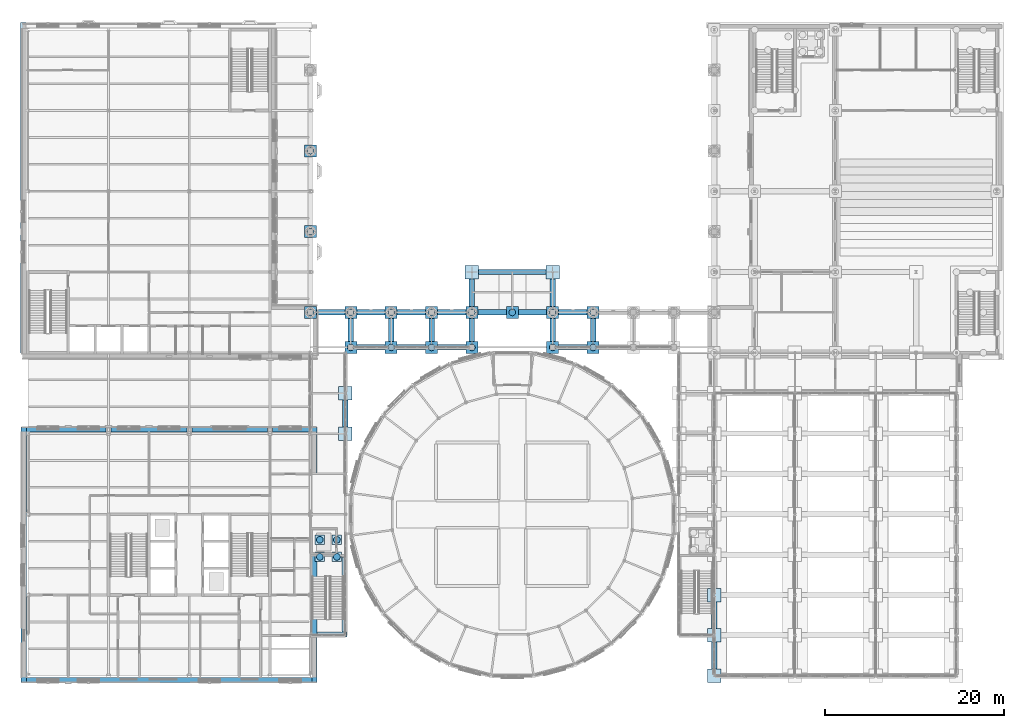
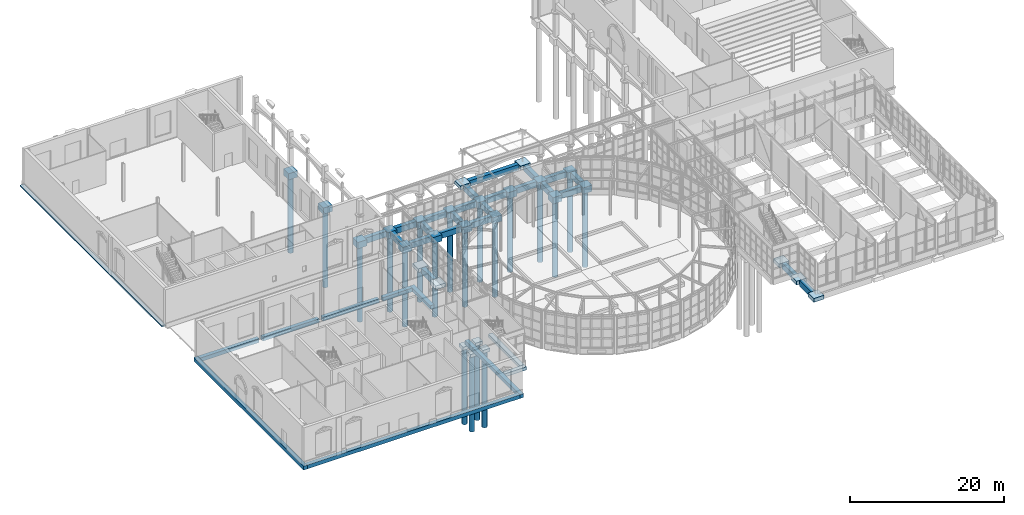
# One storey, part 1 of 106: 61 footings, 20 piles.
"""IFC4 building model written with IfcOpenShell, lengths in metres."""

from ifc_helpers import new_model, si_unit, direction, frame, origin, origin_2d, place, context, subcontext, project, spatial, polyline, circle, outline, extrude, material, material_profile, profile_set, type_object, element, save


model = new_model("IFC4")

# Units and contexts
model_context = context("Model", 3, precision=1e-05, world=origin(), true_north=direction((0.0, 1.0)))
body_context = subcontext(model_context, "Body", "Model", "MODEL_VIEW")
ifc_project = project(units=[si_unit("LENGTHUNIT", "METRE"), si_unit("AREAUNIT", "SQUARE_METRE"), si_unit("VOLUMEUNIT", "CUBIC_METRE"), si_unit("PLANEANGLEUNIT", "RADIAN"), si_unit("MASSUNIT", "GRAM", prefix="KILO")], contexts=[model_context])

# Site, building, storey
site_placement = place(None, origin())
site = spatial("IfcSite", under=ifc_project, at=site_placement, CompositionType="ELEMENT")
building_placement = place(site_placement, origin())
building = spatial("IfcBuilding", under=site, at=building_placement, Name="Hortulan Conservatory and Botanical Research Centre", CompositionType="ELEMENT")
storey_placement = place(building_placement, origin())
storey = spatial("IfcBuildingStorey", under=building, at=storey_placement, Name="L00", CompositionType="ELEMENT", Elevation=0.0)

# Piles
ifc_material = material(Name="Concrete N40 (40 MPa, AS 3600)", Category="concrete")
ifc_material_profile = material_profile(ifc_material, circle(Radius=0.375, at=origin_2d()), Name="Bored pile 750 diameter")
ifc_profile_set = profile_set([ifc_material_profile], Name="Concrete N40 (40 MPa, AS 3600)")
pile_type = type_object("IfcPileType", Name="Bored Pile 750", PredefinedType="BORED", material=ifc_profile_set)
for number, where, z_axis, x_axis, name in (
    (1, (31.5, 40.5, -1.10009765625), (0.0, 0.0, -1.0), (1.0, 0.0, 0.0), "Bored pile 750"),
    (2, (31.5, 49.5, -1.10009765625), (0.0, 0.0, -1.0), (1.0, 0.0, 0.0), "Bored pile 750"),
    (3, (31.5, 58.5, -1.10009765625), (0.0, 0.0, -1.0), (1.0, 0.0, 0.0), "Bored pile 750"),
    (4, (36.0, 40.5, -1.10009765625), (0.0, 0.0, -1.0), (1.0, 0.0, 0.0), "Bored pile 750"),
    (5, (40.5, 40.5, -1.10009765625), (0.0, 0.0, -1.0), (1.0, 0.0, 0.0), "Bored pile 750"),
    (6, (45.0, 40.5, -1.10009765625), (0.0, 0.0, -1.0), (1.0, 0.0, 0.0), "Bored pile 750"),
    (7, (49.5, 40.5, -1.10009765625), (0.0, 0.0, -1.0), (1.0, 0.0, 0.0), "Bored pile 750"),
    (8, (54.0, 40.5, -1.10009765625), (0.0, 0.0, -1.0), (1.0, 0.0, 0.0), "Bored pile 750"),
    (9, (58.5, 40.5, -1.10009765625), (0.0, 0.0, -1.0), (1.0, 0.0, 0.0), "Bored pile 750"),
    (10, (63.0, 40.5, -1.10009765625), (0.0, 0.0, -1.0), (1.0, 0.0, 0.0), "Bored pile 750"),
    (11, (36.0, 36.60009765625, -1.10009765625), (0.0, 0.0, -1.0), (1.0, 0.0, 0.0), "Bored pile 750"),
    (12, (40.5, 36.60009765625, -1.10009765625), (0.0, 0.0, -1.0), (1.0, 0.0, 0.0), "Bored pile 750"),
    (13, (45.0, 36.60009765625, -1.10009765625), (0.0, 0.0, -1.0), (1.0, 0.0, 0.0), "Bored pile 750"),
    (14, (49.5, 36.60009765625, -1.10009765625), (0.0, 0.0, -1.0), (1.0, 0.0, 0.0), "Bored pile 750"),
    (15, (58.5, 36.60009765625, -1.10009765625), (0.0, 0.0, -1.0), (1.0, 0.0, 0.0), "Bored pile 750"),
    (16, (63.0, 36.60009765625, -1.10009765625), (0.0, 0.0, -1.0), (1.0, 0.0, 0.0), "Bored pile 750"),
    (17, (32.550048828125, 13.25, -2.35009765625), (0.0, 0.0, -1.0), (1.0, 0.0, 0.0), "Bored pile 750"),
    (18, (34.449951171875, 13.25, -2.35009765625), (0.0, 0.0, -1.0), (1.0, 0.0, 0.0), "Bored pile 750"),
    (19, (32.550048828125, 15.14990234375, -2.35009765625), (0.0, 0.0, -1.0), (1.0, 0.0, 0.0), "Bored pile 750"),
    (20, (34.449951171875, 15.14990234375, -2.35009765625), (0.0, 0.0, -1.0), (1.0, 0.0, 0.0), "Bored pile 750"),
):
    element("IfcPile", number, at=place(storey_placement, frame(where, z_axis=z_axis, x_axis=x_axis)), inside=storey, type_object=pile_type, Name=name, PredefinedType="BORED", context=body_context, shape_type="SweptSolid", body=[
        extrude(circle(Radius=0.375, at=origin_2d()), origin(), (0.0, 0.0, 1.0), 12.10009765625),
    ])

# Footings
footing_type_1 = type_object("IfcFootingType", Name="Facade Strip Footing 580x600", PredefinedType="FOOTING_BEAM", material=ifc_material)
footing_1_placement = place(storey_placement, frame((0.0, 0.0, -0.60009765625)))
element("IfcFooting", 21, at=footing_1_placement, inside=storey, type_object=footing_type_1, Name="Facade strip footing", PredefinedType="FOOTING_BEAM", context=body_context, shape_type="SweptSolid", body=[
    extrude(outline(polyline([(-0.169921875, -0.75), (-0.169921875, 27.75), (-0.75, 27.75), (-0.75, -0.75), (-0.169921875, -0.75)])), origin(), (0.0, 0.0, 1.0), 0.60009765625),
])
footing_2_placement = place(storey_placement, frame((0.0, 0.0, -0.60009765625)))
element("IfcFooting", 22, at=footing_2_placement, inside=storey, type_object=footing_type_1, Name="Facade strip footing", PredefinedType="FOOTING_BEAM", context=body_context, shape_type="SweptSolid", body=[
    extrude(outline(polyline([(31.669921875, -0.75), (31.669921875, -0.169921875), (-0.169921875, -0.169921875), (-0.169921875, -0.75), (31.669921875, -0.75)])), origin(), (0.0, 0.0, 1.0), 0.60009765625),
])
footing_3_placement = place(storey_placement, frame((0.0, 0.0, -0.60009765625)))
element("IfcFooting", 23, at=footing_3_placement, inside=storey, type_object=footing_type_1, Name="Facade strip footing", PredefinedType="FOOTING_BEAM", context=body_context, shape_type="SweptSolid", body=[
    extrude(outline(polyline([(32.25, -0.75), (32.25, 13.5), (31.669921875, 13.5), (31.669921875, -0.75), (32.25, -0.75)])), origin(), (0.0, 0.0, 1.0), 0.60009765625),
])
footing_4_placement = place(storey_placement, frame((0.0, 0.0, -0.60009765625)))
element("IfcFooting", 24, at=footing_4_placement, inside=storey, type_object=footing_type_1, Name="Facade strip footing", PredefinedType="FOOTING_BEAM", context=body_context, shape_type="SweptSolid", body=[
    extrude(outline(polyline([(31.669921875, 27.75), (31.669921875, 22.5), (32.25, 22.5), (32.25, 27.75), (31.669921875, 27.75)])), origin(), (0.0, 0.0, 1.0), 0.60009765625),
])
footing_5_placement = place(storey_placement, frame((0.0, 0.0, -0.60009765625)))
element("IfcFooting", 25, at=footing_5_placement, inside=storey, type_object=footing_type_1, Name="Facade strip footing", PredefinedType="FOOTING_BEAM", context=body_context, shape_type="SweptSolid", body=[
    extrude(outline(polyline([(-0.169921875, 27.169921875), (8.719970703125, 27.169921875), (8.719970703125, 27.75), (-0.169921875, 27.75), (-0.169921875, 27.169921875)])), origin(), (0.0, 0.0, 1.0), 0.60009765625),
])
footing_6_placement = place(storey_placement, frame((0.0, 0.0, -0.60009765625)))
element("IfcFooting", 26, at=footing_6_placement, inside=storey, type_object=footing_type_1, Name="Facade strip footing", PredefinedType="FOOTING_BEAM", context=body_context, shape_type="SweptSolid", body=[
    extrude(outline(polyline([(17.719970703125, 27.75), (9.280029296875, 27.75), (9.280029296875, 27.169921875), (17.719970703125, 27.169921875), (17.719970703125, 27.75)])), origin(), (0.0, 0.0, 1.0), 0.60009765625),
])
footing_7_placement = place(storey_placement, frame((0.0, 0.0, -0.60009765625)))
element("IfcFooting", 27, at=footing_7_placement, inside=storey, type_object=footing_type_1, Name="Facade strip footing", PredefinedType="FOOTING_BEAM", context=body_context, shape_type="SweptSolid", body=[
    extrude(outline(polyline([(26.719970703125, 27.75), (18.280029296875, 27.75), (18.280029296875, 27.169921875), (26.719970703125, 27.169921875), (26.719970703125, 27.75)])), origin(), (0.0, 0.0, 1.0), 0.60009765625),
])
footing_8_placement = place(storey_placement, frame((0.0, 0.0, -0.60009765625)))
element("IfcFooting", 28, at=footing_8_placement, inside=storey, type_object=footing_type_1, Name="Facade strip footing", PredefinedType="FOOTING_BEAM", context=body_context, shape_type="SweptSolid", body=[
    extrude(outline(polyline([(31.669921875, 27.75), (27.280029296875, 27.75), (27.280029296875, 27.169921875), (31.669921875, 27.169921875), (31.669921875, 27.75)])), origin(), (0.0, 0.0, 1.0), 0.60009765625),
])
footing_type_2 = type_object("IfcFootingType", Name="Ground Beam 600x900", PredefinedType="FOOTING_BEAM", material=ifc_material)
footing_9_placement = place(storey_placement, frame((0.0, 0.0, -1.10009765625)))
element("IfcFooting", 29, at=footing_9_placement, inside=storey, type_object=footing_type_2, Name="Ground beam", PredefinedType="FOOTING_BEAM", context=body_context, shape_type="SweptSolid", body=[
    extrude(outline(polyline([(39.824951171875, 36.300048828125), (39.824951171875, 36.89990234375), (36.675048828125, 36.89990234375), (36.675048828125, 36.300048828125), (39.824951171875, 36.300048828125)])), origin(), (0.0, 0.0, 1.0), 0.900146484375),
])
footing_10_placement = place(storey_placement, frame((0.0, 0.0, -1.10009765625)))
element("IfcFooting", 30, at=footing_10_placement, inside=storey, type_object=footing_type_2, Name="Ground beam", PredefinedType="FOOTING_BEAM", context=body_context, shape_type="SweptSolid", body=[
    extrude(outline(polyline([(44.324951171875, 36.300048828125), (44.324951171875, 36.89990234375), (41.175048828125, 36.89990234375), (41.175048828125, 36.300048828125), (44.324951171875, 36.300048828125)])), origin(), (0.0, 0.0, 1.0), 0.900146484375),
])
footing_11_placement = place(storey_placement, frame((0.0, 0.0, -1.10009765625)))
element("IfcFooting", 31, at=footing_11_placement, inside=storey, type_object=footing_type_2, Name="Ground beam", PredefinedType="FOOTING_BEAM", context=body_context, shape_type="SweptSolid", body=[
    extrude(outline(polyline([(48.824951171875, 36.300048828125), (48.824951171875, 36.89990234375), (45.675048828125, 36.89990234375), (45.675048828125, 36.300048828125), (48.824951171875, 36.300048828125)])), origin(), (0.0, 0.0, 1.0), 0.900146484375),
])
footing_12_placement = place(storey_placement, frame((0.0, 0.0, -1.10009765625)))
element("IfcFooting", 32, at=footing_12_placement, inside=storey, type_object=footing_type_2, Name="Ground beam", PredefinedType="FOOTING_BEAM", context=body_context, shape_type="SweptSolid", body=[
    extrude(outline(polyline([(62.324951171875, 36.300048828125), (62.324951171875, 36.89990234375), (59.175048828125, 36.89990234375), (59.175048828125, 36.300048828125), (62.324951171875, 36.300048828125)])), origin(), (0.0, 0.0, 1.0), 0.900146484375),
])
footing_13_placement = place(storey_placement, frame((0.0, 0.0, -1.10009765625)))
element("IfcFooting", 33, at=footing_13_placement, inside=storey, type_object=footing_type_2, Name="Ground beam", PredefinedType="FOOTING_BEAM", context=body_context, shape_type="SweptSolid", body=[
    extrude(outline(polyline([(35.324951171875, 40.199951171875), (35.324951171875, 40.800048828125), (32.175048828125, 40.800048828125), (32.175048828125, 40.199951171875), (35.324951171875, 40.199951171875)])), origin(), (0.0, 0.0, 1.0), 0.900146484375),
])
footing_14_placement = place(storey_placement, frame((0.0, 0.0, -1.10009765625)))
element("IfcFooting", 34, at=footing_14_placement, inside=storey, type_object=footing_type_2, Name="Ground beam", PredefinedType="FOOTING_BEAM", context=body_context, shape_type="SweptSolid", body=[
    extrude(outline(polyline([(39.824951171875, 40.199951171875), (39.824951171875, 40.800048828125), (36.675048828125, 40.800048828125), (36.675048828125, 40.199951171875), (39.824951171875, 40.199951171875)])), origin(), (0.0, 0.0, 1.0), 0.900146484375),
])
footing_15_placement = place(storey_placement, frame((0.0, 0.0, -1.10009765625)))
element("IfcFooting", 35, at=footing_15_placement, inside=storey, type_object=footing_type_2, Name="Ground beam", PredefinedType="FOOTING_BEAM", context=body_context, shape_type="SweptSolid", body=[
    extrude(outline(polyline([(44.324951171875, 40.199951171875), (44.324951171875, 40.800048828125), (41.175048828125, 40.800048828125), (41.175048828125, 40.199951171875), (44.324951171875, 40.199951171875)])), origin(), (0.0, 0.0, 1.0), 0.900146484375),
])
footing_16_placement = place(storey_placement, frame((0.0, 0.0, -1.10009765625)))
element("IfcFooting", 36, at=footing_16_placement, inside=storey, type_object=footing_type_2, Name="Ground beam", PredefinedType="FOOTING_BEAM", context=body_context, shape_type="SweptSolid", body=[
    extrude(outline(polyline([(48.824951171875, 40.199951171875), (48.824951171875, 40.800048828125), (45.675048828125, 40.800048828125), (45.675048828125, 40.199951171875), (48.824951171875, 40.199951171875)])), origin(), (0.0, 0.0, 1.0), 0.900146484375),
])
footing_17_placement = place(storey_placement, frame((0.0, 0.0, -1.10009765625)))
element("IfcFooting", 37, at=footing_17_placement, inside=storey, type_object=footing_type_2, Name="Ground beam", PredefinedType="FOOTING_BEAM", context=body_context, shape_type="SweptSolid", body=[
    extrude(outline(polyline([(53.324951171875, 40.199951171875), (53.324951171875, 40.800048828125), (50.175048828125, 40.800048828125), (50.175048828125, 40.199951171875), (53.324951171875, 40.199951171875)])), origin(), (0.0, 0.0, 1.0), 0.900146484375),
])
footing_18_placement = place(storey_placement, frame((0.0, 0.0, -1.10009765625)))
element("IfcFooting", 38, at=footing_18_placement, inside=storey, type_object=footing_type_2, Name="Ground beam", PredefinedType="FOOTING_BEAM", context=body_context, shape_type="SweptSolid", body=[
    extrude(outline(polyline([(57.824951171875, 40.199951171875), (57.824951171875, 40.800048828125), (54.675048828125, 40.800048828125), (54.675048828125, 40.199951171875), (57.824951171875, 40.199951171875)])), origin(), (0.0, 0.0, 1.0), 0.900146484375),
])
footing_19_placement = place(storey_placement, frame((0.0, 0.0, -1.10009765625)))
element("IfcFooting", 39, at=footing_19_placement, inside=storey, type_object=footing_type_2, Name="Ground beam", PredefinedType="FOOTING_BEAM", context=body_context, shape_type="SweptSolid", body=[
    extrude(outline(polyline([(62.324951171875, 40.199951171875), (62.324951171875, 40.800048828125), (59.175048828125, 40.800048828125), (59.175048828125, 40.199951171875), (62.324951171875, 40.199951171875)])), origin(), (0.0, 0.0, 1.0), 0.900146484375),
])
footing_20_placement = place(storey_placement, frame((0.0, 0.0, -1.10009765625)))
element("IfcFooting", 40, at=footing_20_placement, inside=storey, type_object=footing_type_2, Name="Ground beam", PredefinedType="FOOTING_BEAM", context=body_context, shape_type="SweptSolid", body=[
    extrude(outline(polyline([(57.75, 44.699951171875), (57.75, 45.300048828125), (50.25, 45.300048828125), (50.25, 44.699951171875), (57.75, 44.699951171875)])), origin(), (0.0, 0.0, 1.0), 0.900146484375),
])
footing_21_placement = place(storey_placement, frame((0.0, 0.0, -1.10009765625)))
element("IfcFooting", 41, at=footing_21_placement, inside=storey, type_object=footing_type_2, Name="Ground beam", PredefinedType="FOOTING_BEAM", context=body_context, shape_type="SweptSolid", body=[
    extrude(outline(polyline([(35.699951171875, 27.75), (35.699951171875, 30.75), (35.10009765625, 30.75), (35.10009765625, 27.75), (35.699951171875, 27.75)])), origin(), (0.0, 0.0, 1.0), 0.900146484375),
])
footing_22_placement = place(storey_placement, frame((0.0, 0.0, -1.10009765625)))
element("IfcFooting", 42, at=footing_22_placement, inside=storey, type_object=footing_type_2, Name="Ground beam", PredefinedType="FOOTING_BEAM", context=body_context, shape_type="SweptSolid", body=[
    extrude(outline(polyline([(36.300048828125, 37.27490234375), (36.300048828125, 39.824951171875), (35.699951171875, 39.824951171875), (35.699951171875, 37.27490234375), (36.300048828125, 37.27490234375)])), origin(), (0.0, 0.0, 1.0), 0.900146484375),
])
footing_23_placement = place(storey_placement, frame((0.0, 0.0, -1.10009765625)))
element("IfcFooting", 43, at=footing_23_placement, inside=storey, type_object=footing_type_2, Name="Ground beam", PredefinedType="FOOTING_BEAM", context=body_context, shape_type="SweptSolid", body=[
    extrude(outline(polyline([(40.800048828125, 37.27490234375), (40.800048828125, 39.824951171875), (40.199951171875, 39.824951171875), (40.199951171875, 37.27490234375), (40.800048828125, 37.27490234375)])), origin(), (0.0, 0.0, 1.0), 0.900146484375),
])
footing_24_placement = place(storey_placement, frame((0.0, 0.0, -1.10009765625)))
element("IfcFooting", 44, at=footing_24_placement, inside=storey, type_object=footing_type_2, Name="Ground beam", PredefinedType="FOOTING_BEAM", context=body_context, shape_type="SweptSolid", body=[
    extrude(outline(polyline([(45.300048828125, 37.27490234375), (45.300048828125, 39.824951171875), (44.699951171875, 39.824951171875), (44.699951171875, 37.27490234375), (45.300048828125, 37.27490234375)])), origin(), (0.0, 0.0, 1.0), 0.900146484375),
])
footing_25_placement = place(storey_placement, frame((0.0, 0.0, -1.10009765625)))
element("IfcFooting", 45, at=footing_25_placement, inside=storey, type_object=footing_type_2, Name="Ground beam", PredefinedType="FOOTING_BEAM", context=body_context, shape_type="SweptSolid", body=[
    extrude(outline(polyline([(49.800048828125, 37.27490234375), (49.800048828125, 39.824951171875), (49.199951171875, 39.824951171875), (49.199951171875, 37.27490234375), (49.800048828125, 37.27490234375)])), origin(), (0.0, 0.0, 1.0), 0.900146484375),
])
footing_26_placement = place(storey_placement, frame((0.0, 0.0, -1.10009765625)))
element("IfcFooting", 46, at=footing_26_placement, inside=storey, type_object=footing_type_2, Name="Ground beam", PredefinedType="FOOTING_BEAM", context=body_context, shape_type="SweptSolid", body=[
    extrude(outline(polyline([(49.800048828125, 41.175048828125), (49.800048828125, 44.25), (49.199951171875, 44.25), (49.199951171875, 41.175048828125), (49.800048828125, 41.175048828125)])), origin(), (0.0, 0.0, 1.0), 0.900146484375),
])
footing_27_placement = place(storey_placement, frame((0.0, 0.0, -1.10009765625)))
element("IfcFooting", 47, at=footing_27_placement, inside=storey, type_object=footing_type_2, Name="Ground beam", PredefinedType="FOOTING_BEAM", context=body_context, shape_type="SweptSolid", body=[
    extrude(outline(polyline([(58.800048828125, 37.27490234375), (58.800048828125, 39.824951171875), (58.199951171875, 39.824951171875), (58.199951171875, 37.27490234375), (58.800048828125, 37.27490234375)])), origin(), (0.0, 0.0, 1.0), 0.900146484375),
])
footing_28_placement = place(storey_placement, frame((0.0, 0.0, -1.10009765625)))
element("IfcFooting", 48, at=footing_28_placement, inside=storey, type_object=footing_type_2, Name="Ground beam", PredefinedType="FOOTING_BEAM", context=body_context, shape_type="SweptSolid", body=[
    extrude(outline(polyline([(58.800048828125, 41.175048828125), (58.800048828125, 44.25), (58.199951171875, 44.25), (58.199951171875, 41.175048828125), (58.800048828125, 41.175048828125)])), origin(), (0.0, 0.0, 1.0), 0.900146484375),
])
footing_29_placement = place(storey_placement, frame((0.0, 0.0, -1.10009765625)))
element("IfcFooting", 49, at=footing_29_placement, inside=storey, type_object=footing_type_2, Name="Ground beam", PredefinedType="FOOTING_BEAM", context=body_context, shape_type="SweptSolid", body=[
    extrude(outline(polyline([(63.300048828125, 37.27490234375), (63.300048828125, 39.824951171875), (62.699951171875, 39.824951171875), (62.699951171875, 37.27490234375), (63.300048828125, 37.27490234375)])), origin(), (0.0, 0.0, 1.0), 0.900146484375),
])
footing_30_placement = place(storey_placement, frame((0.0, 0.0, -1.10009765625)))
element("IfcFooting", 50, at=footing_30_placement, inside=storey, type_object=footing_type_2, Name="Ground beam", PredefinedType="FOOTING_BEAM", context=body_context, shape_type="SweptSolid", body=[
    extrude(outline(polyline([(76.800048828125, 0.75), (76.800048828125, 3.75), (76.199951171875, 3.75), (76.199951171875, 0.75), (76.800048828125, 0.75)])), origin(), (0.0, 0.0, 1.0), 0.900146484375),
])
footing_31_placement = place(storey_placement, frame((0.0, 0.0, -1.10009765625)))
element("IfcFooting", 51, at=footing_31_placement, inside=storey, type_object=footing_type_2, Name="Ground beam", PredefinedType="FOOTING_BEAM", context=body_context, shape_type="SweptSolid", body=[
    extrude(outline(polyline([(76.800048828125, 5.25), (76.800048828125, 8.25), (76.199951171875, 8.25), (76.199951171875, 5.25), (76.800048828125, 5.25)])), origin(), (0.0, 0.0, 1.0), 0.900146484375),
])
footing_type_3 = type_object("IfcFootingType", Name="Pad Footing 1500x1500x600", PredefinedType="PAD_FOOTING", material=ifc_material)
footing_32_placement = place(storey_placement, frame((0.0, 0.0, -0.800048828125)))
element("IfcFooting", 52, at=footing_32_placement, inside=storey, type_object=footing_type_3, Name="Pad footing", PredefinedType="PAD_FOOTING", context=body_context, shape_type="SweptSolid", body=[
    extrude(outline(polyline([(77.25, -0.75), (77.25, 0.75), (75.75, 0.75), (75.75, -0.75), (77.25, -0.75)])), origin(), (0.0, 0.0, 1.0), 0.60009765625),
])
footing_33_placement = place(storey_placement, frame((0.0, 0.0, -0.800048828125)))
element("IfcFooting", 53, at=footing_33_placement, inside=storey, type_object=footing_type_3, Name="Pad footing", PredefinedType="PAD_FOOTING", context=body_context, shape_type="SweptSolid", body=[
    extrude(outline(polyline([(77.25, 3.75), (77.25, 5.25), (75.75, 5.25), (75.75, 3.75), (77.25, 3.75)])), origin(), (0.0, 0.0, 1.0), 0.60009765625),
])
footing_34_placement = place(storey_placement, frame((0.0, 0.0, -0.800048828125)))
element("IfcFooting", 54, at=footing_34_placement, inside=storey, type_object=footing_type_3, Name="Pad footing", PredefinedType="PAD_FOOTING", context=body_context, shape_type="SweptSolid", body=[
    extrude(outline(polyline([(77.25, 8.25), (77.25, 9.75), (75.75, 9.75), (75.75, 8.25), (77.25, 8.25)])), origin(), (0.0, 0.0, 1.0), 0.60009765625),
])
footing_35_placement = place(storey_placement, frame((0.0, 0.0, -0.800048828125)))
element("IfcFooting", 55, at=footing_35_placement, inside=storey, type_object=footing_type_3, Name="Pad footing", PredefinedType="PAD_FOOTING", context=body_context, shape_type="SweptSolid", body=[
    extrude(outline(polyline([(50.25, 44.25), (50.25, 45.75), (48.75, 45.75), (48.75, 44.25), (50.25, 44.25)])), origin(), (0.0, 0.0, 1.0), 0.60009765625),
])
footing_36_placement = place(storey_placement, frame((0.0, 0.0, -0.800048828125)))
element("IfcFooting", 56, at=footing_36_placement, inside=storey, type_object=footing_type_3, Name="Pad footing", PredefinedType="PAD_FOOTING", context=body_context, shape_type="SweptSolid", body=[
    extrude(outline(polyline([(59.25, 44.25), (59.25, 45.75), (57.75, 45.75), (57.75, 44.25), (59.25, 44.25)])), origin(), (0.0, 0.0, 1.0), 0.60009765625),
])
footing_37_placement = place(storey_placement, frame((0.0, 0.0, -0.800048828125)))
element("IfcFooting", 57, at=footing_37_placement, inside=storey, type_object=footing_type_3, Name="Pad footing", PredefinedType="PAD_FOOTING", context=body_context, shape_type="SweptSolid", body=[
    extrude(outline(polyline([(36.14990234375, 26.25), (36.14990234375, 27.75), (34.64990234375, 27.75), (34.64990234375, 26.25), (36.14990234375, 26.25)])), origin(), (0.0, 0.0, 1.0), 0.60009765625),
])
footing_38_placement = place(storey_placement, frame((0.0, 0.0, -0.800048828125)))
element("IfcFooting", 58, at=footing_38_placement, inside=storey, type_object=footing_type_3, Name="Pad footing", PredefinedType="PAD_FOOTING", context=body_context, shape_type="SweptSolid", body=[
    extrude(outline(polyline([(36.14990234375, 30.75), (36.14990234375, 32.25), (34.64990234375, 32.25), (34.64990234375, 30.75), (36.14990234375, 30.75)])), origin(), (0.0, 0.0, 1.0), 0.60009765625),
])
footing_type_4 = type_object("IfcFootingType", Name="Pile Cap 1050x1050x500", PredefinedType="PILE_CAP", material=ifc_material)
footing_39_placement = place(storey_placement, frame((0.0, 0.0, -2.449951171875)))
element("IfcFooting", 59, at=footing_39_placement, inside=storey, type_object=footing_type_4, Name="Lift pit corner pile cap", PredefinedType="PILE_CAP", context=body_context, shape_type="SweptSolid", body=[
    extrude(outline(polyline([(32.02490234375, 12.72509765625), (33.074951171875, 12.72509765625), (33.074951171875, 13.77490234375), (32.02490234375, 13.77490234375), (32.02490234375, 12.72509765625)])), origin(), (0.0, 0.0, 1.0), 0.5),
])
footing_40_placement = place(storey_placement, frame((0.0, 0.0, -2.449951171875)))
element("IfcFooting", 60, at=footing_40_placement, inside=storey, type_object=footing_type_4, Name="Lift pit corner pile cap", PredefinedType="PILE_CAP", context=body_context, shape_type="SweptSolid", body=[
    extrude(outline(polyline([(33.925048828125, 12.72509765625), (34.97509765625, 12.72509765625), (34.97509765625, 13.77490234375), (33.925048828125, 13.77490234375), (33.925048828125, 12.72509765625)])), origin(), (0.0, 0.0, 1.0), 0.5),
])
footing_41_placement = place(storey_placement, frame((0.0, 0.0, -2.449951171875)))
element("IfcFooting", 61, at=footing_41_placement, inside=storey, type_object=footing_type_4, Name="Lift pit corner pile cap", PredefinedType="PILE_CAP", context=body_context, shape_type="SweptSolid", body=[
    extrude(outline(polyline([(32.02490234375, 14.625), (33.074951171875, 14.625), (33.074951171875, 15.675048828125), (32.02490234375, 15.675048828125), (32.02490234375, 14.625)])), origin(), (0.0, 0.0, 1.0), 0.5),
])
footing_42_placement = place(storey_placement, frame((0.0, 0.0, -2.449951171875)))
element("IfcFooting", 62, at=footing_42_placement, inside=storey, type_object=footing_type_4, Name="Lift pit corner pile cap", PredefinedType="PILE_CAP", context=body_context, shape_type="SweptSolid", body=[
    extrude(outline(polyline([(33.925048828125, 14.625), (34.97509765625, 14.625), (34.97509765625, 15.675048828125), (33.925048828125, 15.675048828125), (33.925048828125, 14.625)])), origin(), (0.0, 0.0, 1.0), 0.5),
])
footing_type_5 = type_object("IfcFootingType", Name="Pile Cap 1350x1350x1000", PredefinedType="PILE_CAP", material=ifc_material)
footing_43_placement = place(storey_placement, frame((0.0, 0.0, -1.199951171875)))
element("IfcFooting", 63, at=footing_43_placement, inside=storey, type_object=footing_type_5, Name="Pile cap", PredefinedType="PILE_CAP", context=body_context, shape_type="SweptSolid", body=[
    extrude(outline(polyline([(32.175048828125, 39.824951171875), (32.175048828125, 41.175048828125), (30.824951171875, 41.175048828125), (30.824951171875, 39.824951171875), (32.175048828125, 39.824951171875)])), origin(), (0.0, 0.0, 1.0), 1.0),
])
footing_44_placement = place(storey_placement, frame((0.0, 0.0, -1.199951171875)))
element("IfcFooting", 64, at=footing_44_placement, inside=storey, type_object=footing_type_5, Name="Pile cap", PredefinedType="PILE_CAP", context=body_context, shape_type="SweptSolid", body=[
    extrude(outline(polyline([(32.175048828125, 48.824951171875), (32.175048828125, 50.175048828125), (30.824951171875, 50.175048828125), (30.824951171875, 48.824951171875), (32.175048828125, 48.824951171875)])), origin(), (0.0, 0.0, 1.0), 1.0),
])
footing_45_placement = place(storey_placement, frame((0.0, 0.0, -1.199951171875)))
element("IfcFooting", 65, at=footing_45_placement, inside=storey, type_object=footing_type_5, Name="Pile cap", PredefinedType="PILE_CAP", context=body_context, shape_type="SweptSolid", body=[
    extrude(outline(polyline([(32.175048828125, 57.824951171875), (32.175048828125, 59.175048828125), (30.824951171875, 59.175048828125), (30.824951171875, 57.824951171875), (32.175048828125, 57.824951171875)])), origin(), (0.0, 0.0, 1.0), 1.0),
])
footing_46_placement = place(storey_placement, frame((0.0, 0.0, -1.199951171875)))
element("IfcFooting", 66, at=footing_46_placement, inside=storey, type_object=footing_type_5, Name="Pile cap", PredefinedType="PILE_CAP", context=body_context, shape_type="SweptSolid", body=[
    extrude(outline(polyline([(36.675048828125, 39.824951171875), (36.675048828125, 41.175048828125), (35.324951171875, 41.175048828125), (35.324951171875, 39.824951171875), (36.675048828125, 39.824951171875)])), origin(), (0.0, 0.0, 1.0), 1.0),
])
footing_47_placement = place(storey_placement, frame((0.0, 0.0, -1.199951171875)))
element("IfcFooting", 67, at=footing_47_placement, inside=storey, type_object=footing_type_5, Name="Pile cap", PredefinedType="PILE_CAP", context=body_context, shape_type="SweptSolid", body=[
    extrude(outline(polyline([(41.175048828125, 39.824951171875), (41.175048828125, 41.175048828125), (39.824951171875, 41.175048828125), (39.824951171875, 39.824951171875), (41.175048828125, 39.824951171875)])), origin(), (0.0, 0.0, 1.0), 1.0),
])
footing_48_placement = place(storey_placement, frame((0.0, 0.0, -1.199951171875)))
element("IfcFooting", 68, at=footing_48_placement, inside=storey, type_object=footing_type_5, Name="Pile cap", PredefinedType="PILE_CAP", context=body_context, shape_type="SweptSolid", body=[
    extrude(outline(polyline([(45.675048828125, 39.824951171875), (45.675048828125, 41.175048828125), (44.324951171875, 41.175048828125), (44.324951171875, 39.824951171875), (45.675048828125, 39.824951171875)])), origin(), (0.0, 0.0, 1.0), 1.0),
])
footing_49_placement = place(storey_placement, frame((0.0, 0.0, -1.199951171875)))
element("IfcFooting", 69, at=footing_49_placement, inside=storey, type_object=footing_type_5, Name="Pile cap", PredefinedType="PILE_CAP", context=body_context, shape_type="SweptSolid", body=[
    extrude(outline(polyline([(50.175048828125, 39.824951171875), (50.175048828125, 41.175048828125), (48.824951171875, 41.175048828125), (48.824951171875, 39.824951171875), (50.175048828125, 39.824951171875)])), origin(), (0.0, 0.0, 1.0), 1.0),
])
footing_50_placement = place(storey_placement, frame((0.0, 0.0, -1.199951171875)))
element("IfcFooting", 70, at=footing_50_placement, inside=storey, type_object=footing_type_5, Name="Pile cap", PredefinedType="PILE_CAP", context=body_context, shape_type="SweptSolid", body=[
    extrude(outline(polyline([(54.675048828125, 39.824951171875), (54.675048828125, 41.175048828125), (53.324951171875, 41.175048828125), (53.324951171875, 39.824951171875), (54.675048828125, 39.824951171875)])), origin(), (0.0, 0.0, 1.0), 1.0),
])
footing_51_placement = place(storey_placement, frame((0.0, 0.0, -1.199951171875)))
element("IfcFooting", 71, at=footing_51_placement, inside=storey, type_object=footing_type_5, Name="Pile cap", PredefinedType="PILE_CAP", context=body_context, shape_type="SweptSolid", body=[
    extrude(outline(polyline([(59.175048828125, 39.824951171875), (59.175048828125, 41.175048828125), (57.824951171875, 41.175048828125), (57.824951171875, 39.824951171875), (59.175048828125, 39.824951171875)])), origin(), (0.0, 0.0, 1.0), 1.0),
])
footing_52_placement = place(storey_placement, frame((0.0, 0.0, -1.199951171875)))
element("IfcFooting", 72, at=footing_52_placement, inside=storey, type_object=footing_type_5, Name="Pile cap", PredefinedType="PILE_CAP", context=body_context, shape_type="SweptSolid", body=[
    extrude(outline(polyline([(63.675048828125, 39.824951171875), (63.675048828125, 41.175048828125), (62.324951171875, 41.175048828125), (62.324951171875, 39.824951171875), (63.675048828125, 39.824951171875)])), origin(), (0.0, 0.0, 1.0), 1.0),
])
footing_53_placement = place(storey_placement, frame((0.0, 0.0, -1.199951171875)))
element("IfcFooting", 73, at=footing_53_placement, inside=storey, type_object=footing_type_5, Name="Pile cap", PredefinedType="PILE_CAP", context=body_context, shape_type="SweptSolid", body=[
    extrude(outline(polyline([(36.675048828125, 35.925048828125), (36.675048828125, 37.27490234375), (35.324951171875, 37.27490234375), (35.324951171875, 35.925048828125), (36.675048828125, 35.925048828125)])), origin(), (0.0, 0.0, 1.0), 1.0),
])
footing_54_placement = place(storey_placement, frame((0.0, 0.0, -1.199951171875)))
element("IfcFooting", 74, at=footing_54_placement, inside=storey, type_object=footing_type_5, Name="Pile cap", PredefinedType="PILE_CAP", context=body_context, shape_type="SweptSolid", body=[
    extrude(outline(polyline([(41.175048828125, 35.925048828125), (41.175048828125, 37.27490234375), (39.824951171875, 37.27490234375), (39.824951171875, 35.925048828125), (41.175048828125, 35.925048828125)])), origin(), (0.0, 0.0, 1.0), 1.0),
])
footing_55_placement = place(storey_placement, frame((0.0, 0.0, -1.199951171875)))
element("IfcFooting", 75, at=footing_55_placement, inside=storey, type_object=footing_type_5, Name="Pile cap", PredefinedType="PILE_CAP", context=body_context, shape_type="SweptSolid", body=[
    extrude(outline(polyline([(45.675048828125, 35.925048828125), (45.675048828125, 37.27490234375), (44.324951171875, 37.27490234375), (44.324951171875, 35.925048828125), (45.675048828125, 35.925048828125)])), origin(), (0.0, 0.0, 1.0), 1.0),
])
footing_56_placement = place(storey_placement, frame((0.0, 0.0, -1.199951171875)))
element("IfcFooting", 76, at=footing_56_placement, inside=storey, type_object=footing_type_5, Name="Pile cap", PredefinedType="PILE_CAP", context=body_context, shape_type="SweptSolid", body=[
    extrude(outline(polyline([(50.175048828125, 35.925048828125), (50.175048828125, 37.27490234375), (48.824951171875, 37.27490234375), (48.824951171875, 35.925048828125), (50.175048828125, 35.925048828125)])), origin(), (0.0, 0.0, 1.0), 1.0),
])
footing_57_placement = place(storey_placement, frame((0.0, 0.0, -1.199951171875)))
element("IfcFooting", 77, at=footing_57_placement, inside=storey, type_object=footing_type_5, Name="Pile cap", PredefinedType="PILE_CAP", context=body_context, shape_type="SweptSolid", body=[
    extrude(outline(polyline([(59.175048828125, 35.925048828125), (59.175048828125, 37.27490234375), (57.824951171875, 37.27490234375), (57.824951171875, 35.925048828125), (59.175048828125, 35.925048828125)])), origin(), (0.0, 0.0, 1.0), 1.0),
])
footing_58_placement = place(storey_placement, frame((0.0, 0.0, -1.199951171875)))
element("IfcFooting", 78, at=footing_58_placement, inside=storey, type_object=footing_type_5, Name="Pile cap", PredefinedType="PILE_CAP", context=body_context, shape_type="SweptSolid", body=[
    extrude(outline(polyline([(63.675048828125, 35.925048828125), (63.675048828125, 37.27490234375), (62.324951171875, 37.27490234375), (62.324951171875, 35.925048828125), (63.675048828125, 35.925048828125)])), origin(), (0.0, 0.0, 1.0), 1.0),
])
footing_type_6 = type_object("IfcFootingType", Name="Strip Footing 580x200", PredefinedType="FOOTING_BEAM", material=ifc_material)
footing_59_placement = place(storey_placement, frame((0.0, 0.0, -0.199951171875)))
element("IfcFooting", 79, at=footing_59_placement, inside=storey, type_object=footing_type_6, Name="Facade plinth strip footing", PredefinedType="FOOTING_BEAM", context=body_context, shape_type="SweptSolid", body=[
    extrude(outline(polyline([(-0.219970703125, 36.0), (-0.219970703125, 72.800048828125), (-0.800048828125, 72.800048828125), (-0.800048828125, 36.0), (-0.219970703125, 36.0)])), origin(), (0.0, 0.0, 1.0), 0.199951171875),
])
footing_type_7 = type_object("IfcFootingType", Name="Strip Footing 600x500", PredefinedType="FOOTING_BEAM", material=ifc_material)
footing_60_placement = place(storey_placement, frame((0.0, 0.0, -0.5)))
element("IfcFooting", 80, at=footing_60_placement, inside=storey, type_object=footing_type_7, Name="Stair shaft wall strip footing", PredefinedType="FOOTING_BEAM", context=body_context, shape_type="SweptSolid", body=[
    extrude(outline(polyline([(35.60009765625, 4.300048828125), (35.60009765625, 4.89990234375), (32.300048828125, 4.89990234375), (32.300048828125, 4.300048828125), (35.60009765625, 4.300048828125)])), origin(), (0.0, 0.0, 1.0), 0.5),
])
footing_61_placement = place(storey_placement, frame((0.0, 0.0, -0.5)))
element("IfcFooting", 81, at=footing_61_placement, inside=storey, type_object=footing_type_7, Name="Stair shaft wall strip footing", PredefinedType="FOOTING_BEAM", context=body_context, shape_type="SweptSolid", body=[
    extrude(outline(polyline([(35.60009765625, 4.89990234375), (35.60009765625, 13.199951171875), (35.0, 13.199951171875), (35.0, 4.89990234375), (35.60009765625, 4.89990234375)])), origin(), (0.0, 0.0, 1.0), 0.5),
])

save(model, "model.ifc")
